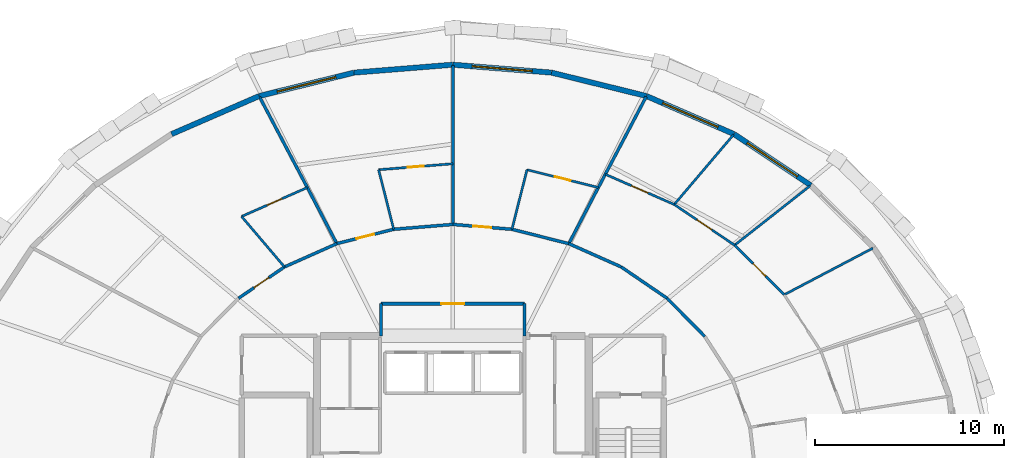
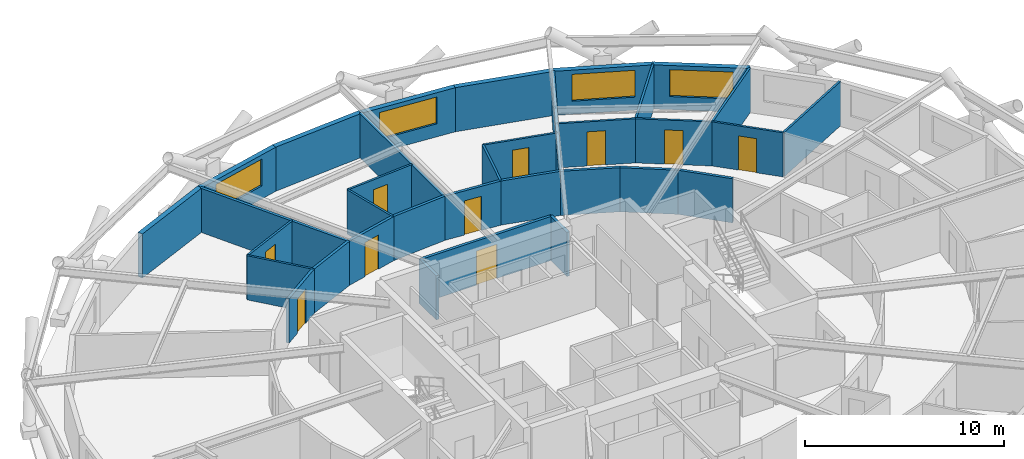
# One storey, part 11 of 14: 34 walls, 10 doors, 4 windows, 14 openings.
"""IFC4 building model written with IfcOpenShell, lengths in metres."""

from ifc_helpers import new_model, si_unit, direction, frame, frame_2d, origin, place, context, subcontext, project, spatial, rectangle, extrude, material, layer, layer_set, type_object, element, fill, save


model = new_model("IFC4")

# Units and contexts
model_context = context("Model", 3, precision=1e-05, world=origin(), true_north=direction((0.0, 1.0)))
body_context = subcontext(model_context, "Body", "Model", "MODEL_VIEW")
ifc_project = project(units=[si_unit("LENGTHUNIT", "METRE"), si_unit("AREAUNIT", "SQUARE_METRE"), si_unit("VOLUMEUNIT", "CUBIC_METRE"), si_unit("PLANEANGLEUNIT", "RADIAN"), si_unit("MASSUNIT", "GRAM", prefix="KILO")], contexts=[model_context])

# Site, building, storey
site_placement = place(None, origin())
site = spatial("IfcSite", under=ifc_project, at=site_placement, CompositionType="ELEMENT")
building_placement = place(site_placement, origin())
building = spatial("IfcBuilding", under=site, at=building_placement, Name="Veldorina Hangang Commons", CompositionType="ELEMENT")
storey_placement = place(building_placement, frame((0.0, 0.0, 62.800048828125)))
storey = spatial("IfcBuildingStorey", under=building, at=storey_placement, Name="L15", CompositionType="ELEMENT", Elevation=62.800048828125)

# Wall, opening, window
ifc_material_1 = material(Name="Stone Roman Travertine", Category="masonry")
ifc_layer_1 = layer(ifc_material_1, 0.280029296875)
ifc_layer_set_1 = layer_set([ifc_layer_1], Name="Stone Roman Travertine")
wall_type_1 = type_object("IfcWallType", Name="EW-TRAV-280", PredefinedType="STANDARD", material=ifc_layer_set_1)
wall_1_placement = place(storey_placement, frame((50.95751953125, 39.422119140625, 0.0), z_axis=(0.0, 0.0, 1.0), x_axis=(-0.831665633672, 0.555276754213, 0.0)))
wall_1 = element("IfcWall", 1, at=wall_1_placement, inside=storey, type_object=wall_type_1, Name="L15 travertine facade wall 04", PredefinedType="STANDARD", context=body_context, shape_type="SweptSolid", body=[
    extrude(rectangle(XDim=4.884765625, YDim=0.280029296875, at=frame_2d((2.4423828125, 0.0))), origin(), (0.0, 0.0, 1.0), 2.7099609375),
])
opening_1_placement = place(wall_1_placement, frame((0.84228515625, 0.0, 0.800048828125)))
opening_1 = element("IfcOpeningElement", 2, at=opening_1_placement, cuts=wall_1, Name="Opening W-01", PredefinedType="OPENING", context=body_context, shape_type="SweptSolid", body=[
    extrude(rectangle(XDim=3.199951171875, YDim=1.64990234375, at=frame_2d((1.60009765625, 0.824951171875))), frame((0.0, 0.14990234375, 0.0), z_axis=(0.0, -1.0, 0.0), x_axis=(1.0, 0.0, 0.0)), (0.0, 0.0, 1.0), 0.300048828125),
])
ifc_material_2 = material(Name="Glass Low-E Triple IGU", Category="glass")
window_type = type_object("IfcWindowType", Name="WIN-TWR-3200", PartitioningType="SINGLE_PANEL", PredefinedType="WINDOW", material=ifc_material_2)
window_1_placement = place(opening_1_placement, origin())
window_1 = element("IfcWindow", 3, at=window_1_placement, inside=storey, type_object=window_type, Name="L15 facade window 04", OverallHeight=1.64990234375, OverallWidth=3.199951171875, PartitioningType="SINGLE_PANEL", PredefinedType="WINDOW", context=body_context, shape_type="SweptSolid", body=[
    extrude(rectangle(XDim=3.199951171875, YDim=1.64990234375, at=frame_2d((1.60009765625, 0.824951171875))), frame((0.0, 0.030029296875, 0.0), z_axis=(0.0, -1.0, 0.0), x_axis=(1.0, 0.0, 0.0)), (0.0, 0.0, 1.0), 0.06005859375),
])
fill(opening_1, window_1)

wall_2_placement = place(storey_placement, frame((46.89501953125, 42.134521484375, 0.0), z_axis=(0.0, 0.0, 1.0), x_axis=(-0.917066216605, 0.398734942488, 0.0)))
wall_2 = element("IfcWall", 4, at=wall_2_placement, inside=storey, type_object=wall_type_1, Name="L15 travertine facade wall 05", PredefinedType="STANDARD", context=body_context, shape_type="SweptSolid", body=[
    extrude(rectangle(XDim=5.054443359375, YDim=0.280029296875, at=frame_2d((2.52734375, 0.0))), origin(), (0.0, 0.0, 1.0), 2.7099609375),
])
opening_2_placement = place(wall_2_placement, frame((0.92724609375, 0.0, 0.800048828125)))
opening_2 = element("IfcOpeningElement", 5, at=opening_2_placement, cuts=wall_2, Name="Opening W-01", PredefinedType="OPENING", context=body_context, shape_type="SweptSolid", body=[
    extrude(rectangle(XDim=3.199951171875, YDim=1.64990234375, at=frame_2d((1.60009765625, 0.824951171875))), frame((0.0, 0.14990234375, 0.0), z_axis=(0.0, -1.0, 0.0), x_axis=(1.0, 0.0, 0.0)), (0.0, 0.0, 1.0), 0.300048828125),
])
window_2_placement = place(opening_2_placement, origin())
window_2 = element("IfcWindow", 6, at=window_2_placement, inside=storey, type_object=window_type, Name="L15 facade window 05", OverallHeight=1.64990234375, OverallWidth=3.199951171875, PartitioningType="SINGLE_PANEL", PredefinedType="WINDOW", context=body_context, shape_type="SweptSolid", body=[
    extrude(rectangle(XDim=3.199951171875, YDim=1.64990234375, at=frame_2d((1.60009765625, 0.824951171875))), frame((0.0, 0.030029296875, 0.0), z_axis=(0.0, -1.0, 0.0), x_axis=(1.0, 0.0, 0.0)), (0.0, 0.0, 1.0), 0.06005859375),
])
fill(opening_2, window_2)

# Wall
wall_3_placement = place(storey_placement, frame((42.259765625, 44.14990234375, 0.0), z_axis=(0.0, 0.0, 1.0), x_axis=(-0.970869978012, 0.239606940205, 0.0)))
element("IfcWall", 7, at=wall_3_placement, inside=storey, type_object=wall_type_1, Name="L15 travertine facade wall 06", PredefinedType="STANDARD", context=body_context, shape_type="SweptSolid", body=[
    extrude(rectangle(XDim=5.18017578125, YDim=0.280029296875, at=frame_2d((2.590087890625, 0.0))), origin(), (0.0, 0.0, 1.0), 2.7099609375),
])

# Wall, opening, window
wall_4_placement = place(storey_placement, frame((37.23046875, 45.39111328125, 0.0), z_axis=(0.0, 0.0, 1.0), x_axis=(-0.996807580938, 0.07984138391, 0.0)))
wall_4 = element("IfcWall", 8, at=wall_4_placement, inside=storey, type_object=wall_type_1, Name="L15 travertine facade wall 07", PredefinedType="STANDARD", context=body_context, shape_type="SweptSolid", body=[
    extrude(rectangle(XDim=5.247314453125, YDim=0.280029296875, at=frame_2d((2.62353515625, 0.0))), origin(), (0.0, 0.0, 1.0), 2.7099609375),
])
opening_3_placement = place(wall_4_placement, frame((1.023681640625, 0.0, 0.800048828125)))
opening_3 = element("IfcOpeningElement", 9, at=opening_3_placement, cuts=wall_4, Name="Opening W-01", PredefinedType="OPENING", context=body_context, shape_type="SweptSolid", body=[
    extrude(rectangle(XDim=3.199951171875, YDim=1.64990234375, at=frame_2d((1.60009765625, 0.824951171875))), frame((0.0, 0.14990234375, 0.0), z_axis=(0.0, -1.0, 0.0), x_axis=(1.0, 0.0, 0.0)), (0.0, 0.0, 1.0), 0.300048828125),
])
window_3_placement = place(opening_3_placement, origin())
window_3 = element("IfcWindow", 10, at=window_3_placement, inside=storey, type_object=window_type, Name="L15 facade window 07", OverallHeight=1.64990234375, OverallWidth=3.199951171875, PartitioningType="SINGLE_PANEL", PredefinedType="WINDOW", context=body_context, shape_type="SweptSolid", body=[
    extrude(rectangle(XDim=3.199951171875, YDim=1.64990234375, at=frame_2d((1.60009765625, 0.824951171875))), frame((0.0, 0.030029296875, 0.0), z_axis=(0.0, -1.0, 0.0), x_axis=(1.0, 0.0, 0.0)), (0.0, 0.0, 1.0), 0.06005859375),
])
fill(opening_3, window_3)

# Wall
wall_5_placement = place(storey_placement, frame((32.0, 45.81005859375, 0.0), z_axis=(0.0, 0.0, 1.0), x_axis=(-0.996807580938, -0.07984138391, 0.0)))
element("IfcWall", 11, at=wall_5_placement, inside=storey, type_object=wall_type_1, Name="L15 travertine facade wall 08", PredefinedType="STANDARD", context=body_context, shape_type="SweptSolid", body=[
    extrude(rectangle(XDim=5.247314453125, YDim=0.280029296875, at=frame_2d((2.62353515625, 0.0))), origin(), (0.0, 0.0, 1.0), 2.7099609375),
])

# Wall, opening, window
wall_6_placement = place(storey_placement, frame((26.76953125, 45.39111328125, 0.0), z_axis=(0.0, 0.0, 1.0), x_axis=(-0.970869978012, -0.239606940205, 0.0)))
wall_6 = element("IfcWall", 12, at=wall_6_placement, inside=storey, type_object=wall_type_1, Name="L15 travertine facade wall 09", PredefinedType="STANDARD", context=body_context, shape_type="SweptSolid", body=[
    extrude(rectangle(XDim=5.18017578125, YDim=0.280029296875, at=frame_2d((2.590087890625, 0.0))), origin(), (0.0, 0.0, 1.0), 2.7099609375),
])
opening_4_placement = place(wall_6_placement, frame((0.989990234375, 0.0, 0.800048828125)))
opening_4 = element("IfcOpeningElement", 13, at=opening_4_placement, cuts=wall_6, Name="Opening W-01", PredefinedType="OPENING", context=body_context, shape_type="SweptSolid", body=[
    extrude(rectangle(XDim=3.199951171875, YDim=1.64990234375, at=frame_2d((1.60009765625, 0.824951171875))), frame((0.0, 0.14990234375, 0.0), z_axis=(0.0, -1.0, 0.0), x_axis=(1.0, 0.0, 0.0)), (0.0, 0.0, 1.0), 0.300048828125),
])
window_4_placement = place(opening_4_placement, origin())
window_4 = element("IfcWindow", 14, at=window_4_placement, inside=storey, type_object=window_type, Name="L15 facade window 09", OverallHeight=1.64990234375, OverallWidth=3.199951171875, PartitioningType="SINGLE_PANEL", PredefinedType="WINDOW", context=body_context, shape_type="SweptSolid", body=[
    extrude(rectangle(XDim=3.199951171875, YDim=1.64990234375, at=frame_2d((1.60009765625, 0.824951171875))), frame((0.0, 0.030029296875, 0.0), z_axis=(0.0, -1.0, 0.0), x_axis=(1.0, 0.0, 0.0)), (0.0, 0.0, 1.0), 0.06005859375),
])
fill(opening_4, window_4)

# Walls
wall_7_placement = place(storey_placement, frame((21.740234375, 44.14990234375, 0.0), z_axis=(0.0, 0.0, 1.0), x_axis=(-0.917066216605, -0.398734942488, 0.0)))
element("IfcWall", 15, at=wall_7_placement, inside=storey, type_object=wall_type_1, Name="L15 travertine facade wall 10", PredefinedType="STANDARD", context=body_context, shape_type="SweptSolid", body=[
    extrude(rectangle(XDim=5.054443359375, YDim=0.280029296875, at=frame_2d((2.52734375, 0.0))), origin(), (0.0, 0.0, 1.0), 2.7099609375),
])
ifc_material_3 = material(Name="Gypsum Fire-Rated Twin Stud Wall", Category="gypsum")
ifc_layer_2 = layer(ifc_material_3, 0.159912109375)
ifc_layer_set_2 = layer_set([ifc_layer_2], Name="Gypsum Fire-Rated Twin Stud Wall")
wall_type_2 = type_object("IfcWallType", Name="WL-FIRE-160", PredefinedType="SOLIDWALL", material=ifc_layer_set_2)
for number, where, z_axis, x_axis, name in (
    (16, (28.199951171875, 31.449951171875, 0.0), (0.0, 0.0, 1.0), (0.0, 1.0, 0.0), "L15 North lobby west wall 032"),
    (17, (35.800048828125, 31.449951171875, 0.0), (0.0, 0.0, 1.0), (0.0, 1.0, 0.0), "L15 North lobby east wall 033"),
):
    element("IfcWall", number, at=place(storey_placement, frame(where, z_axis=z_axis, x_axis=x_axis)), inside=storey, type_object=wall_type_2, Name=name, PredefinedType="SOLIDWALL", context=body_context, shape_type="SweptSolid", body=[
        extrude(rectangle(XDim=1.699951171875, YDim=0.159912109375, at=frame_2d((0.85009765625, 0.0))), origin(), (0.0, 0.0, 1.0), 2.7099609375),
    ])

# Wall, opening, door
wall_8_placement = place(storey_placement, frame((28.199951171875, 33.14990234375, 0.0), z_axis=(0.0, 0.0, 1.0), x_axis=(1.0, 0.0, 0.0)))
wall_8 = element("IfcWall", 18, at=wall_8_placement, inside=storey, type_object=wall_type_2, Name="L15 North lobby north wall 034", PredefinedType="SOLIDWALL", context=body_context, shape_type="SweptSolid", body=[
    extrude(rectangle(XDim=7.60009765625, YDim=0.159912109375, at=frame_2d((3.800048828125, 0.0))), origin(), (0.0, 0.0, 1.0), 2.7099609375),
])
opening_5_placement = place(wall_8_placement, frame((3.199951171875, 0.0, 0.0)))
opening_5 = element("IfcOpeningElement", 19, at=opening_5_placement, cuts=wall_8, Name="Opening D-09", PredefinedType="OPENING", context=body_context, shape_type="SweptSolid", body=[
    extrude(rectangle(XDim=1.199951171875, YDim=2.10009765625, at=frame_2d((0.60009765625, 1.050048828125))), frame((0.0, 0.08984375, 0.0), z_axis=(0.0, -1.0, 0.0), x_axis=(1.0, 0.0, 0.0)), (0.0, 0.0, 1.0), 0.179931640625),
])
ifc_material_4 = material(Name="Steel Fire-Rated Corridor Door", Category="steel")
door_type_1 = type_object("IfcDoorType", Name="DR-FIRE-1200", OperationType="SINGLE_SWING_LEFT", PredefinedType="DOOR", material=ifc_material_4)
door_1_placement = place(opening_5_placement, origin())
door_1 = element("IfcDoor", 20, at=door_1_placement, inside=storey, type_object=door_type_1, Name="L15 North lift lobby corridor door 012", OperationType="SINGLE_SWING_RIGHT", OverallHeight=2.10009765625, OverallWidth=1.199951171875, PredefinedType="DOOR", context=body_context, shape_type="SweptSolid", body=[
    extrude(rectangle(XDim=1.199951171875, YDim=2.10009765625, at=frame_2d((0.60009765625, 1.050048828125))), frame((0.0, 0.02490234375, 0.0), z_axis=(0.0, -1.0, 0.0), x_axis=(1.0, 0.0, 0.0)), (0.0, 0.0, 1.0), 0.050048828125),
])
fill(opening_5, door_1)

# Walls
wall_9_placement = place(storey_placement, frame((45.34521484375, 31.4169921875, 0.0), z_axis=(0.0, 0.0, 1.0), x_axis=(-0.702366174226, 0.711815816981, 0.0)))
element("IfcWall", 21, at=wall_9_placement, inside=storey, type_object=wall_type_2, Name="L15 Corridor outer wall 03 051", PredefinedType="SOLIDWALL", context=body_context, shape_type="SweptSolid", body=[
    extrude(rectangle(XDim=2.842041015625, YDim=0.159912109375, at=frame_2d((1.4208984375, 0.0))), origin(), (0.0, 0.0, 1.0), 2.7099609375),
])
wall_10_placement = place(storey_placement, frame((43.34912109375, 33.43994140625, 0.0), z_axis=(0.0, 0.0, 1.0), x_axis=(-0.825929039072, 0.563774088104, 0.0)))
element("IfcWall", 22, at=wall_10_placement, inside=storey, type_object=wall_type_2, Name="L15 Corridor outer wall 04 052", PredefinedType="SOLIDWALL", context=body_context, shape_type="SweptSolid", body=[
    extrude(rectangle(XDim=2.94482421875, YDim=0.159912109375, at=frame_2d((1.472412109375, 0.0))), origin(), (0.0, 0.0, 1.0), 2.7099609375),
])
wall_11_placement = place(storey_placement, frame((40.9169921875, 35.10009765625, 0.0), z_axis=(0.0, 0.0, 1.0), x_axis=(-0.913768445178, 0.406235434936, 0.0)))
element("IfcWall", 23, at=wall_11_placement, inside=storey, type_object=wall_type_2, Name="L15 Corridor outer wall 05 053", PredefinedType="SOLIDWALL", context=body_context, shape_type="SweptSolid", body=[
    extrude(rectangle(XDim=3.036865234375, YDim=0.159912109375, at=frame_2d((1.5185546875, 0.0))), origin(), (0.0, 0.0, 1.0), 2.7099609375),
])
wall_12_placement = place(storey_placement, frame((38.14208984375, 36.333740234375, 0.0), z_axis=(0.0, 0.0, 1.0), x_axis=(-0.969608333194, 0.244662380029, 0.0)))
element("IfcWall", 24, at=wall_12_placement, inside=storey, type_object=wall_type_2, Name="L15 Corridor outer wall 06 054", PredefinedType="SOLIDWALL", context=body_context, shape_type="SweptSolid", body=[
    extrude(rectangle(XDim=3.10546875, YDim=0.159912109375, at=frame_2d((1.552734375, 0.0))), origin(), (0.0, 0.0, 1.0), 2.7099609375),
])

# Wall, opening, door
wall_13_placement = place(storey_placement, frame((35.131103515625, 37.093505859375, 0.0), z_axis=(0.0, 0.0, 1.0), x_axis=(-0.996658973252, 0.081675522876, 0.0)))
wall_13 = element("IfcWall", 25, at=wall_13_placement, inside=storey, type_object=wall_type_2, Name="L15 Corridor outer wall 07 055", PredefinedType="SOLIDWALL", context=body_context, shape_type="SweptSolid", body=[
    extrude(rectangle(XDim=3.1416015625, YDim=0.159912109375, at=frame_2d((1.57080078125, 0.0))), origin(), (0.0, 0.0, 1.0), 2.7099609375),
])
opening_6_placement = place(wall_13_placement, frame((1.095703125, 0.0, 0.0)))
opening_6 = element("IfcOpeningElement", 26, at=opening_6_placement, cuts=wall_13, Name="Opening D-03", PredefinedType="OPENING", context=body_context, shape_type="SweptSolid", body=[
    extrude(rectangle(XDim=0.949951171875, YDim=2.10009765625, at=frame_2d((0.47509765625, 1.050048828125))), frame((0.0, 0.08984375, 0.0), z_axis=(0.0, -1.0, 0.0), x_axis=(1.0, 0.0, 0.0)), (0.0, 0.0, 1.0), 0.179931640625),
])
ifc_material_5 = material(Name="Timber Fire-Rated Entrance Core", Category="wood")
door_type_2 = type_object("IfcDoorType", Name="DR-UNIT-950", OperationType="SINGLE_SWING_RIGHT", PredefinedType="DOOR", material=ifc_material_5)
door_2_placement = place(opening_6_placement, origin())
door_2 = element("IfcDoor", 27, at=door_2_placement, inside=storey, type_object=door_type_2, Name="L15 Studio 4 entrance door 039", OperationType="SINGLE_SWING_LEFT", OverallHeight=2.10009765625, OverallWidth=0.949951171875, PredefinedType="DOOR", context=body_context, shape_type="SweptSolid", body=[
    extrude(rectangle(XDim=0.949951171875, YDim=2.10009765625, at=frame_2d((0.47509765625, 1.050048828125))), frame((0.0, 0.02490234375, 0.0), z_axis=(0.0, -1.0, 0.0), x_axis=(1.0, 0.0, 0.0)), (0.0, 0.0, 1.0), 0.050048828125),
])
fill(opening_6, door_2)

# Wall
wall_14_placement = place(storey_placement, frame((32.0, 37.35009765625, 0.0), z_axis=(0.0, 0.0, 1.0), x_axis=(-0.996658973252, -0.081675522876, 0.0)))
element("IfcWall", 28, at=wall_14_placement, inside=storey, type_object=wall_type_2, Name="L15 Corridor outer wall 08 056", PredefinedType="SOLIDWALL", context=body_context, shape_type="SweptSolid", body=[
    extrude(rectangle(XDim=3.1416015625, YDim=0.159912109375, at=frame_2d((1.57080078125, 0.0))), origin(), (0.0, 0.0, 1.0), 2.7099609375),
])

# Wall, opening, door
wall_15_placement = place(storey_placement, frame((28.868896484375, 37.093505859375, 0.0), z_axis=(0.0, 0.0, 1.0), x_axis=(-0.969608333194, -0.244662380029, 0.0)))
wall_15 = element("IfcWall", 29, at=wall_15_placement, inside=storey, type_object=wall_type_2, Name="L15 Corridor outer wall 09 057", PredefinedType="SOLIDWALL", context=body_context, shape_type="SweptSolid", body=[
    extrude(rectangle(XDim=3.10546875, YDim=0.159912109375, at=frame_2d((1.552734375, 0.0))), origin(), (0.0, 0.0, 1.0), 2.7099609375),
])
opening_7_placement = place(wall_15_placement, frame((1.07763671875, 0.0, 0.0)))
opening_7 = element("IfcOpeningElement", 30, at=opening_7_placement, cuts=wall_15, Name="Opening D-03", PredefinedType="OPENING", context=body_context, shape_type="SweptSolid", body=[
    extrude(rectangle(XDim=0.949951171875, YDim=2.10009765625, at=frame_2d((0.47509765625, 1.050048828125))), frame((0.0, 0.08984375, 0.0), z_axis=(0.0, -1.0, 0.0), x_axis=(1.0, 0.0, 0.0)), (0.0, 0.0, 1.0), 0.179931640625),
])
door_3_placement = place(opening_7_placement, origin())
door_3 = element("IfcDoor", 31, at=door_3_placement, inside=storey, type_object=door_type_2, Name="L15 Studio 5 entrance door 041", OperationType="SINGLE_SWING_LEFT", OverallHeight=2.10009765625, OverallWidth=0.949951171875, PredefinedType="DOOR", context=body_context, shape_type="SweptSolid", body=[
    extrude(rectangle(XDim=0.949951171875, YDim=2.10009765625, at=frame_2d((0.47509765625, 1.050048828125))), frame((0.0, 0.02490234375, 0.0), z_axis=(0.0, -1.0, 0.0), x_axis=(1.0, 0.0, 0.0)), (0.0, 0.0, 1.0), 0.050048828125),
])
fill(opening_7, door_3)

# Wall
wall_16_placement = place(storey_placement, frame((25.85791015625, 36.333740234375, 0.0), z_axis=(0.0, 0.0, 1.0), x_axis=(-0.913768445178, -0.406235434936, 0.0)))
element("IfcWall", 32, at=wall_16_placement, inside=storey, type_object=wall_type_2, Name="L15 Corridor outer wall 10 058", PredefinedType="SOLIDWALL", context=body_context, shape_type="SweptSolid", body=[
    extrude(rectangle(XDim=3.036865234375, YDim=0.159912109375, at=frame_2d((1.5185546875, 0.0))), origin(), (0.0, 0.0, 1.0), 2.7099609375),
])

# Wall, opening, door
wall_17_placement = place(storey_placement, frame((23.0830078125, 35.10009765625, 0.0), z_axis=(0.0, 0.0, 1.0), x_axis=(-0.825929039072, -0.563774088104, 0.0)))
wall_17 = element("IfcWall", 33, at=wall_17_placement, inside=storey, type_object=wall_type_2, Name="L15 Corridor outer wall 11 059", PredefinedType="SOLIDWALL", context=body_context, shape_type="SweptSolid", body=[
    extrude(rectangle(XDim=2.94482421875, YDim=0.159912109375, at=frame_2d((1.472412109375, 0.0))), origin(), (0.0, 0.0, 1.0), 2.7099609375),
])
opening_8_placement = place(wall_17_placement, frame((0.997314453125, 0.0, 0.0)))
opening_8 = element("IfcOpeningElement", 34, at=opening_8_placement, cuts=wall_17, Name="Opening D-03", PredefinedType="OPENING", context=body_context, shape_type="SweptSolid", body=[
    extrude(rectangle(XDim=0.949951171875, YDim=2.10009765625, at=frame_2d((0.47509765625, 1.050048828125))), frame((0.0, 0.08984375, 0.0), z_axis=(0.0, -1.0, 0.0), x_axis=(1.0, 0.0, 0.0)), (0.0, 0.0, 1.0), 0.179931640625),
])
door_4_placement = place(opening_8_placement, origin())
door_4 = element("IfcDoor", 35, at=door_4_placement, inside=storey, type_object=door_type_2, Name="L15 Studio 6 entrance door 043", OperationType="SINGLE_SWING_LEFT", OverallHeight=2.10009765625, OverallWidth=0.949951171875, PredefinedType="DOOR", context=body_context, shape_type="SweptSolid", body=[
    extrude(rectangle(XDim=0.949951171875, YDim=2.10009765625, at=frame_2d((0.47509765625, 1.050048828125))), frame((0.0, 0.02490234375, 0.0), z_axis=(0.0, -1.0, 0.0), x_axis=(1.0, 0.0, 0.0)), (0.0, 0.0, 1.0), 0.050048828125),
])
fill(opening_8, door_4)

# Walls
wall_18_placement = place(storey_placement, frame((38.14208984375, 36.333740234375, 0.0), z_axis=(0.0, 0.0, 1.0), x_axis=(0.466100337181, 0.884731866545, 0.0)))
element("IfcWall", 36, at=wall_18_placement, inside=storey, type_object=wall_type_2, Name="L15 Unit party wall 06 112", PredefinedType="SOLIDWALL", context=body_context, shape_type="SweptSolid", body=[
    extrude(rectangle(XDim=8.78466796875, YDim=0.159912109375, at=frame_2d((4.392333984375, 0.0))), origin(), (0.0, 0.0, 1.0), 2.7099609375),
])
wall_19_placement = place(storey_placement, frame((32.0, 37.35009765625, 0.0), z_axis=(0.0, 0.0, 1.0), x_axis=(0.0, 1.0, 0.0)))
element("IfcWall", 37, at=wall_19_placement, inside=storey, type_object=wall_type_2, Name="L15 Unit party wall 08 115", PredefinedType="SOLIDWALL", context=body_context, shape_type="SweptSolid", body=[
    extrude(rectangle(XDim=8.409912109375, YDim=0.159912109375, at=frame_2d((4.205078125, 0.0))), origin(), (0.0, 0.0, 1.0), 2.7099609375),
])
wall_20_placement = place(storey_placement, frame((25.85791015625, 36.333740234375, 0.0), z_axis=(0.0, 0.0, 1.0), x_axis=(-0.466100337181, 0.884731866545, 0.0)))
element("IfcWall", 38, at=wall_20_placement, inside=storey, type_object=wall_type_2, Name="L15 Unit party wall 10 118", PredefinedType="SOLIDWALL", context=body_context, shape_type="SweptSolid", body=[
    extrude(rectangle(XDim=8.78466796875, YDim=0.159912109375, at=frame_2d((4.392333984375, 0.0))), origin(), (0.0, 0.0, 1.0), 2.7099609375),
])

# Wall, opening, door
ifc_material_6 = material(Name="Gypsum Acoustic Stud Partition", Category="gypsum")
ifc_layer_3 = layer(ifc_material_6, 0.1201171875)
ifc_layer_set_3 = layer_set([ifc_layer_3], Name="Gypsum Acoustic Stud Partition")
wall_type_3 = type_object("IfcWallType", Name="WL-PART-120", PredefinedType="PARTITIONING", material=ifc_layer_set_3)
wall_21_placement = place(storey_placement, frame((49.550048828125, 33.6259765625, 0.0), z_axis=(0.0, 0.0, 1.0), x_axis=(-0.707041019105, 0.707172537152, 0.0)))
wall_21 = element("IfcWall", 39, at=wall_21_placement, inside=storey, type_object=wall_type_3, Name="L15 Cluster 3 bed 4 front wall 106", PredefinedType="PARTITIONING", context=body_context, shape_type="SweptSolid", body=[
    extrude(rectangle(XDim=3.712646484375, YDim=0.1201171875, at=frame_2d((1.8564453125, 0.0))), origin(), (0.0, 0.0, 1.0), 2.7099609375),
])
opening_9_placement = place(wall_21_placement, frame((1.38134765625, 0.0, 0.0)))
opening_9 = element("IfcOpeningElement", 40, at=opening_9_placement, cuts=wall_21, Name="Opening D-02", PredefinedType="OPENING", context=body_context, shape_type="SweptSolid", body=[
    extrude(rectangle(XDim=0.949951171875, YDim=2.10009765625, at=frame_2d((0.47509765625, 1.050048828125))), frame((0.0, 0.070068359375, 0.0), z_axis=(0.0, -1.0, 0.0), x_axis=(1.0, 0.0, 0.0)), (0.0, 0.0, 1.0), 0.14013671875),
])
ifc_material_7 = material(Name="Timber Solid Core Acoustic", Category="wood")
door_type_3 = type_object("IfcDoorType", Name="DR-INT-950", OperationType="SINGLE_SWING_LEFT", PredefinedType="DOOR", material=ifc_material_7)
door_5_placement = place(opening_9_placement, origin())
door_5 = element("IfcDoor", 41, at=door_5_placement, inside=storey, type_object=door_type_3, Name="L15 Cluster 3 bed 4 door 035", OperationType="SINGLE_SWING_LEFT", OverallHeight=2.10009765625, OverallWidth=0.949951171875, PredefinedType="DOOR", context=body_context, shape_type="SweptSolid", body=[
    extrude(rectangle(XDim=0.949951171875, YDim=2.10009765625, at=frame_2d((0.47509765625, 1.050048828125))), frame((0.0, 0.02490234375, 0.0), z_axis=(0.0, -1.0, 0.0), x_axis=(1.0, 0.0, 0.0)), (0.0, 0.0, 1.0), 0.050048828125),
])
fill(opening_9, door_5)

# Wall
wall_22_placement = place(storey_placement, frame((49.550048828125, 33.6259765625, 0.0), z_axis=(0.0, 0.0, 1.0), x_axis=(0.885275261797, 0.465067426134, 0.0)))
element("IfcWall", 42, at=wall_22_placement, inside=storey, type_object=wall_type_3, Name="L15 Cluster 3 bed divider 3 107", PredefinedType="PARTITIONING", context=body_context, shape_type="SweptSolid", body=[
    extrude(rectangle(XDim=5.30615234375, YDim=0.1201171875, at=frame_2d((2.653076171875, 0.0))), origin(), (0.0, 0.0, 1.0), 2.7099609375),
])

# Wall, opening, door
wall_23_placement = place(storey_placement, frame((46.925048828125, 36.25146484375, 0.0), z_axis=(0.0, 0.0, 1.0), x_axis=(-0.829352517657, 0.558725694286, 0.0)))
wall_23 = element("IfcWall", 43, at=wall_23_placement, inside=storey, type_object=wall_type_3, Name="L15 Cluster 3 bed 5 front wall 108", PredefinedType="PARTITIONING", context=body_context, shape_type="SweptSolid", body=[
    extrude(rectangle(XDim=3.856689453125, YDim=0.1201171875, at=frame_2d((1.92822265625, 0.0))), origin(), (0.0, 0.0, 1.0), 2.7099609375),
])
opening_10_placement = place(wall_23_placement, frame((1.453369140625, 0.0, 0.0)))
opening_10 = element("IfcOpeningElement", 44, at=opening_10_placement, cuts=wall_23, Name="Opening D-02", PredefinedType="OPENING", context=body_context, shape_type="SweptSolid", body=[
    extrude(rectangle(XDim=0.949951171875, YDim=2.10009765625, at=frame_2d((0.47509765625, 1.050048828125))), frame((0.0, 0.070068359375, 0.0), z_axis=(0.0, -1.0, 0.0), x_axis=(1.0, 0.0, 0.0)), (0.0, 0.0, 1.0), 0.14013671875),
])
door_6_placement = place(opening_10_placement, origin())
door_6 = element("IfcDoor", 45, at=door_6_placement, inside=storey, type_object=door_type_3, Name="L15 Cluster 3 bed 5 door 036", OperationType="SINGLE_SWING_RIGHT", OverallHeight=2.10009765625, OverallWidth=0.949951171875, PredefinedType="DOOR", context=body_context, shape_type="SweptSolid", body=[
    extrude(rectangle(XDim=0.949951171875, YDim=2.10009765625, at=frame_2d((0.47509765625, 1.050048828125))), frame((0.0, 0.02490234375, 0.0), z_axis=(0.0, -1.0, 0.0), x_axis=(1.0, 0.0, 0.0)), (0.0, 0.0, 1.0), 0.050048828125),
])
fill(opening_10, door_6)

# Wall
wall_24_placement = place(storey_placement, frame((46.925048828125, 36.25146484375, 0.0), z_axis=(0.0, 0.0, 1.0), x_axis=(0.786111489239, 0.618084724359, 0.0)))
element("IfcWall", 46, at=wall_24_placement, inside=storey, type_object=wall_type_3, Name="L15 Cluster 3 bed divider 4 109", PredefinedType="PARTITIONING", context=body_context, shape_type="SweptSolid", body=[
    extrude(rectangle(XDim=5.07958984375, YDim=0.1201171875, at=frame_2d((2.539794921875, 0.0))), origin(), (0.0, 0.0, 1.0), 2.7099609375),
])

# Wall, opening, door
wall_25_placement = place(storey_placement, frame((43.7265625, 38.40625, 0.0), z_axis=(0.0, 0.0, 1.0), x_axis=(-0.91573640853, 0.401779578989, 0.0)))
wall_25 = element("IfcWall", 47, at=wall_25_placement, inside=storey, type_object=wall_type_3, Name="L15 Cluster 3 bed 6 front wall 110", PredefinedType="PARTITIONING", context=body_context, shape_type="SweptSolid", body=[
    extrude(rectangle(XDim=3.98486328125, YDim=0.1201171875, at=frame_2d((1.992431640625, 0.0))), origin(), (0.0, 0.0, 1.0), 2.7099609375),
])
opening_11_placement = place(wall_25_placement, frame((1.517578125, 0.0, 0.0)))
opening_11 = element("IfcOpeningElement", 48, at=opening_11_placement, cuts=wall_25, Name="Opening D-02", PredefinedType="OPENING", context=body_context, shape_type="SweptSolid", body=[
    extrude(rectangle(XDim=0.949951171875, YDim=2.10009765625, at=frame_2d((0.47509765625, 1.050048828125))), frame((0.0, 0.070068359375, 0.0), z_axis=(0.0, -1.0, 0.0), x_axis=(1.0, 0.0, 0.0)), (0.0, 0.0, 1.0), 0.14013671875),
])
door_7_placement = place(opening_11_placement, origin())
door_7 = element("IfcDoor", 49, at=door_7_placement, inside=storey, type_object=door_type_3, Name="L15 Cluster 3 bed 6 door 037", OperationType="SINGLE_SWING_LEFT", OverallHeight=2.10009765625, OverallWidth=0.949951171875, PredefinedType="DOOR", context=body_context, shape_type="SweptSolid", body=[
    extrude(rectangle(XDim=0.949951171875, YDim=2.10009765625, at=frame_2d((0.47509765625, 1.050048828125))), frame((0.0, 0.02490234375, 0.0), z_axis=(0.0, -1.0, 0.0), x_axis=(1.0, 0.0, 0.0)), (0.0, 0.0, 1.0), 0.050048828125),
])
fill(opening_11, door_7)

# Wall
wall_26_placement = place(storey_placement, frame((43.7265625, 38.40625, 0.0), z_axis=(0.0, 0.0, 1.0), x_axis=(0.647592807169, 0.761986585251, 0.0)))
element("IfcWall", 50, at=wall_26_placement, inside=storey, type_object=wall_type_3, Name="L15 Cluster 3 bed divider 5 111", PredefinedType="PARTITIONING", context=body_context, shape_type="SweptSolid", body=[
    extrude(rectangle(XDim=4.842529296875, YDim=0.1201171875, at=frame_2d((2.42138671875, 0.0))), origin(), (0.0, 0.0, 1.0), 2.7099609375),
])

# Wall, opening, door
wall_27_placement = place(storey_placement, frame((39.706787109375, 39.303955078125, 0.0), z_axis=(0.0, 0.0, 1.0), x_axis=(-0.970253050033, 0.242092996392, 0.0)))
wall_27 = element("IfcWall", 51, at=wall_27_placement, inside=storey, type_object=wall_type_3, Name="L15 Studio 4 bath front wall 113", PredefinedType="PARTITIONING", context=body_context, shape_type="SweptSolid", body=[
    extrude(rectangle(XDim=3.8935546875, YDim=0.1201171875, at=frame_2d((1.94677734375, 0.0))), origin(), (0.0, 0.0, 1.0), 2.7099609375),
])
opening_12_placement = place(wall_27_placement, frame((1.516845703125, 0.0, 0.0)))
opening_12 = element("IfcOpeningElement", 52, at=opening_12_placement, cuts=wall_27, Name="Opening D-01", PredefinedType="OPENING", context=body_context, shape_type="SweptSolid", body=[
    extrude(rectangle(XDim=0.860107421875, YDim=2.10009765625, at=frame_2d((0.43017578125, 1.050048828125))), frame((0.0, 0.070068359375, 0.0), z_axis=(0.0, -1.0, 0.0), x_axis=(1.0, 0.0, 0.0)), (0.0, 0.0, 1.0), 0.14013671875),
])
ifc_material_8 = material(Name="Timber Moisture-Resistant Core", Category="wood")
door_type_4 = type_object("IfcDoorType", Name="DR-WET-860", OperationType="SINGLE_SWING_LEFT", PredefinedType="DOOR", material=ifc_material_8)
door_8_placement = place(opening_12_placement, origin())
door_8 = element("IfcDoor", 53, at=door_8_placement, inside=storey, type_object=door_type_4, Name="L15 Studio 4 bathroom door 038", OperationType="SINGLE_SWING_RIGHT", OverallHeight=2.10009765625, OverallWidth=0.860107421875, PredefinedType="DOOR", context=body_context, shape_type="SweptSolid", body=[
    extrude(rectangle(XDim=0.860107421875, YDim=2.10009765625, at=frame_2d((0.43017578125, 1.050048828125))), frame((0.0, 0.02490234375, 0.0), z_axis=(0.0, -1.0, 0.0), x_axis=(1.0, 0.0, 0.0)), (0.0, 0.0, 1.0), 0.050048828125),
])
fill(opening_12, door_8)

# Wall
wall_28_placement = place(storey_placement, frame((35.131103515625, 37.093505859375, 0.0), z_axis=(0.0, 0.0, 1.0), x_axis=(0.245307568883, 0.969445303588, 0.0)))
element("IfcWall", 54, at=wall_28_placement, inside=storey, type_object=wall_type_3, Name="L15 Studio 4 bath side wall 114", PredefinedType="PARTITIONING", context=body_context, shape_type="SweptSolid", body=[
    extrude(rectangle(XDim=3.25244140625, YDim=0.1201171875, at=frame_2d((1.626220703125, 0.0))), origin(), (0.0, 0.0, 1.0), 2.7099609375),
])

# Wall, opening, door
wall_29_placement = place(storey_placement, frame((32.0, 40.564697265625, 0.0), z_axis=(0.0, 0.0, 1.0), x_axis=(-0.996738210764, -0.080702783112, 0.0)))
wall_29 = element("IfcWall", 55, at=wall_29_placement, inside=storey, type_object=wall_type_3, Name="L15 Studio 5 bath front wall 116", PredefinedType="PARTITIONING", context=body_context, shape_type="SweptSolid", body=[
    extrude(rectangle(XDim=3.94189453125, YDim=0.1201171875, at=frame_2d((1.970947265625, 0.0))), origin(), (0.0, 0.0, 1.0), 2.7099609375),
])
opening_13_placement = place(wall_29_placement, frame((1.541015625, 0.0, 0.0)))
opening_13 = element("IfcOpeningElement", 56, at=opening_13_placement, cuts=wall_29, Name="Opening D-01", PredefinedType="OPENING", context=body_context, shape_type="SweptSolid", body=[
    extrude(rectangle(XDim=0.860107421875, YDim=2.10009765625, at=frame_2d((0.43017578125, 1.050048828125))), frame((0.0, 0.070068359375, 0.0), z_axis=(0.0, -1.0, 0.0), x_axis=(1.0, 0.0, 0.0)), (0.0, 0.0, 1.0), 0.14013671875),
])
door_9_placement = place(opening_13_placement, origin())
door_9 = element("IfcDoor", 57, at=door_9_placement, inside=storey, type_object=door_type_4, Name="L15 Studio 5 bathroom door 040", OperationType="SINGLE_SWING_RIGHT", OverallHeight=2.10009765625, OverallWidth=0.860107421875, PredefinedType="DOOR", context=body_context, shape_type="SweptSolid", body=[
    extrude(rectangle(XDim=0.860107421875, YDim=2.10009765625, at=frame_2d((0.43017578125, 1.050048828125))), frame((0.0, 0.02490234375, 0.0), z_axis=(0.0, -1.0, 0.0), x_axis=(1.0, 0.0, 0.0)), (0.0, 0.0, 1.0), 0.050048828125),
])
fill(opening_13, door_9)

# Wall
wall_30_placement = place(storey_placement, frame((28.868896484375, 37.093505859375, 0.0), z_axis=(0.0, 0.0, 1.0), x_axis=(-0.245307568883, 0.969445303588, 0.0)))
element("IfcWall", 58, at=wall_30_placement, inside=storey, type_object=wall_type_3, Name="L15 Studio 5 bath side wall 117", PredefinedType="PARTITIONING", context=body_context, shape_type="SweptSolid", body=[
    extrude(rectangle(XDim=3.25244140625, YDim=0.1201171875, at=frame_2d((1.626220703125, 0.0))), origin(), (0.0, 0.0, 1.0), 2.7099609375),
])

# Wall, opening, door
wall_31_placement = place(storey_placement, frame((24.293212890625, 39.303955078125, 0.0), z_axis=(0.0, 0.0, 1.0), x_axis=(-0.915429524068, -0.402478305582, 0.0)))
wall_31 = element("IfcWall", 59, at=wall_31_placement, inside=storey, type_object=wall_type_3, Name="L15 Studio 6 bath front wall 119", PredefinedType="PARTITIONING", context=body_context, shape_type="SweptSolid", body=[
    extrude(rectangle(XDim=3.80322265625, YDim=0.1201171875, at=frame_2d((1.901611328125, 0.0))), origin(), (0.0, 0.0, 1.0), 2.7099609375),
])
opening_14_placement = place(wall_31_placement, frame((1.4716796875, 0.0, 0.0)))
opening_14 = element("IfcOpeningElement", 60, at=opening_14_placement, cuts=wall_31, Name="Opening D-01", PredefinedType="OPENING", context=body_context, shape_type="SweptSolid", body=[
    extrude(rectangle(XDim=0.860107421875, YDim=2.10009765625, at=frame_2d((0.43017578125, 1.050048828125))), frame((0.0, 0.070068359375, 0.0), z_axis=(0.0, -1.0, 0.0), x_axis=(1.0, 0.0, 0.0)), (0.0, 0.0, 1.0), 0.14013671875),
])
door_10_placement = place(opening_14_placement, origin())
door_10 = element("IfcDoor", 61, at=door_10_placement, inside=storey, type_object=door_type_4, Name="L15 Studio 6 bathroom door 042", OperationType="SINGLE_SWING_RIGHT", OverallHeight=2.10009765625, OverallWidth=0.860107421875, PredefinedType="DOOR", context=body_context, shape_type="SweptSolid", body=[
    extrude(rectangle(XDim=0.860107421875, YDim=2.10009765625, at=frame_2d((0.43017578125, 1.050048828125))), frame((0.0, 0.02490234375, 0.0), z_axis=(0.0, -1.0, 0.0), x_axis=(1.0, 0.0, 0.0)), (0.0, 0.0, 1.0), 0.050048828125),
])
fill(opening_14, door_10)

# Wall
wall_32_placement = place(storey_placement, frame((23.0830078125, 35.10009765625, 0.0), z_axis=(0.0, 0.0, 1.0), x_axis=(-0.647541339599, 0.762030323223, 0.0)))
element("IfcWall", 62, at=wall_32_placement, inside=storey, type_object=wall_type_3, Name="L15 Studio 6 bath side wall 120", PredefinedType="PARTITIONING", context=body_context, shape_type="SweptSolid", body=[
    extrude(rectangle(XDim=3.5078125, YDim=0.1201171875, at=frame_2d((1.75390625, 0.0))), origin(), (0.0, 0.0, 1.0), 2.7099609375),
])

save(model, "model.ifc")
